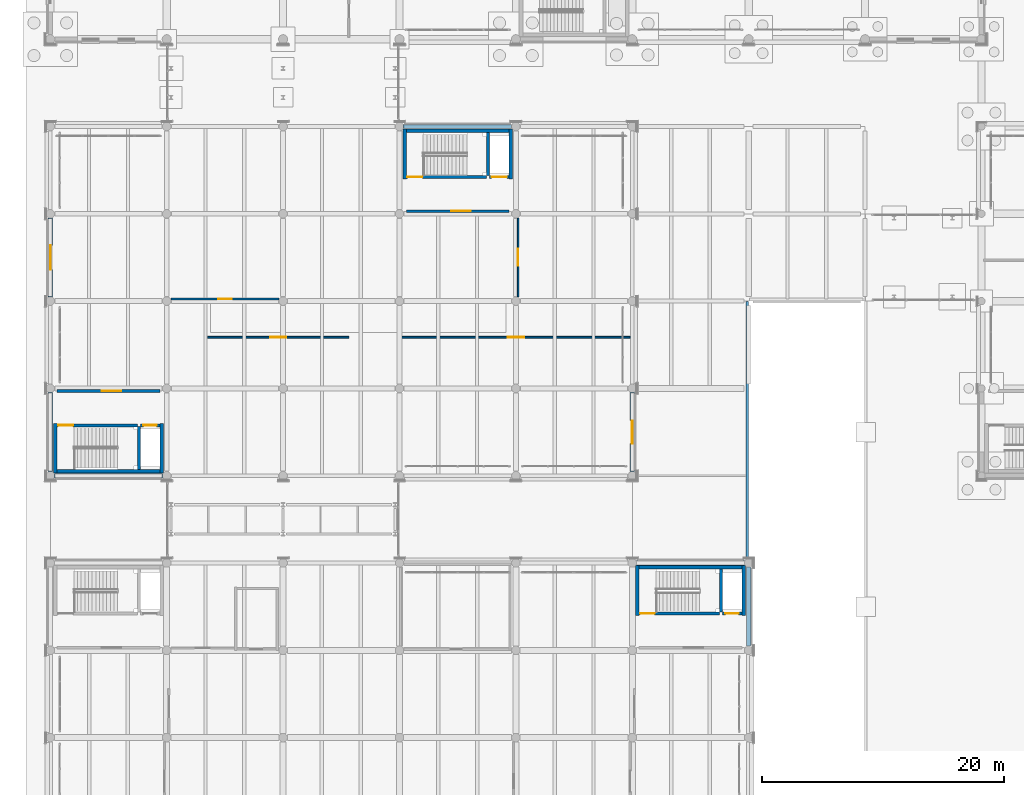
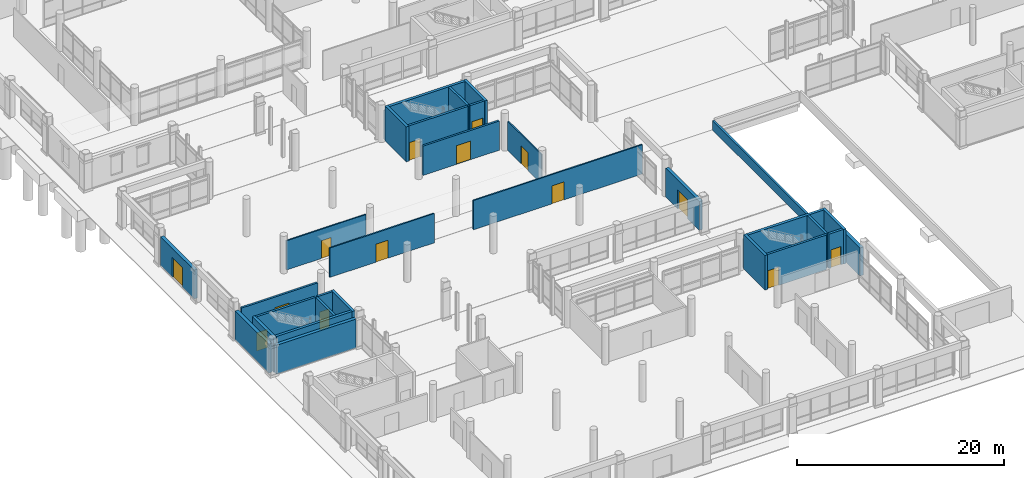
# One storey, part 159 of 196: 32 walls, 14 doors, 14 openings.
"""IFC4 building model written with IfcOpenShell, lengths in metres."""

from ifc_helpers import new_model, si_unit, direction, frame, frame_2d, origin, place, context, subcontext, project, spatial, rectangle, extrude, material, layer, layer_set, type_object, element, fill, save


model = new_model("IFC4")

# Units and contexts
model_context = context("Model", 3, precision=1e-05, world=origin(), true_north=direction((0.0, 1.0)))
body_context = subcontext(model_context, "Body", "Model", "MODEL_VIEW")
ifc_project = project(units=[si_unit("LENGTHUNIT", "METRE"), si_unit("AREAUNIT", "SQUARE_METRE"), si_unit("VOLUMEUNIT", "CUBIC_METRE"), si_unit("PLANEANGLEUNIT", "RADIAN"), si_unit("MASSUNIT", "GRAM", prefix="KILO")], contexts=[model_context])

# Site, building, storey
site_placement = place(None, origin())
site = spatial("IfcSite", under=ifc_project, at=site_placement, CompositionType="ELEMENT")
building_placement = place(site_placement, origin())
building = spatial("IfcBuilding", under=site, at=building_placement, Name="Asteropetra Specialist Clinic", CompositionType="ELEMENT")
storey_placement = place(building_placement, origin())
storey = spatial("IfcBuildingStorey", under=building, at=storey_placement, Name="L00", CompositionType="ELEMENT", Elevation=0.0)

# Walls
ifc_material_1 = material(Name="Piraeus poros limestone", Category="masonry")
ifc_layer_1 = layer(ifc_material_1, 0.219970703125)
ifc_layer_set_1 = layer_set([ifc_layer_1], Name="Piraeus poros limestone")
wall_type_1 = type_object("IfcWallType", Name="EW-PARAPET-220", PredefinedType="PARAPET", material=ifc_layer_set_1)
wall_1_placement = place(storey_placement, frame((57.469970703125, 26.75, 0.0), z_axis=(0.0, 0.0, 1.0), x_axis=(0.0, 1.0, 0.0)))
element("IfcWall", 1, at=wall_1_placement, inside=storey, type_object=wall_type_1, Name="Roof Parapet WP-20", PredefinedType="PARAPET", context=body_context, shape_type="SweptSolid", body=[
    extrude(rectangle(XDim=21.199951171875, YDim=0.219970703125, at=frame_2d((10.60009765625, 0.0))), origin(), (0.0, 0.0, 1.0), 1.1201171875),
])
ifc_material_2 = material(Name="Pentelic marble ashlar", Category="masonry")
ifc_layer_2 = layer(ifc_material_2, 0.360107421875)
ifc_layer_set_2 = layer_set([ifc_layer_2], Name="Pentelic marble ashlar")
wall_type_2 = type_object("IfcWallType", Name="EW-PENTELIC-360", PredefinedType="SOLIDWALL", material=ifc_layer_set_2)
wall_2_placement = place(storey_placement, frame((0.35009765625, 33.60009765625, 0.0), z_axis=(0.0, 0.0, 1.0), x_axis=(1.0, 0.0, 0.0)))
element("IfcWall", 2, at=wall_2_placement, inside=storey, type_object=wall_type_2, Name="Exterior Wall EW-0159", PredefinedType="SOLIDWALL", context=body_context, shape_type="SweptSolid", body=[
    extrude(rectangle(XDim=8.89990234375, YDim=0.360107421875, at=frame_2d((4.449951171875, 0.0))), origin(), (0.0, 0.0, 1.0), 3.39990234375),
])
wall_3_placement = place(storey_placement, frame((38.050048828125, 62.39990234375, 0.0), z_axis=(0.0, 0.0, 1.0), x_axis=(-1.0, 0.0, 0.0)))
element("IfcWall", 3, at=wall_3_placement, inside=storey, type_object=wall_type_2, Name="Exterior Wall EW-0160", PredefinedType="SOLIDWALL", context=body_context, shape_type="SweptSolid", body=[
    extrude(rectangle(XDim=8.900146484375, YDim=0.360107421875, at=frame_2d((4.4501953125, 0.0))), origin(), (0.0, 0.0, 1.0), 3.39990234375),
])
wall_4_placement = place(storey_placement, frame((0.0, 40.449951171875, 0.0), z_axis=(0.0, 0.0, 1.0), x_axis=(0.0, -1.0, 0.0)))
element("IfcWall", 4, at=wall_4_placement, inside=storey, type_object=wall_type_2, Name="Exterior Wall EW-0161", PredefinedType="SOLIDWALL", context=body_context, shape_type="SweptSolid", body=[
    extrude(rectangle(XDim=6.5, YDim=0.360107421875, at=frame_2d((3.25, 0.0))), origin(), (0.0, 0.0, 1.0), 3.39990234375),
])

# Wall, opening, door
wall_5_placement = place(storey_placement, frame((48.0, 33.949951171875, 0.0), z_axis=(0.0, 0.0, 1.0), x_axis=(0.0, 1.0, 0.0)))
wall_5 = element("IfcWall", 5, at=wall_5_placement, inside=storey, type_object=wall_type_2, Name="Exterior Wall EW-0162", PredefinedType="SOLIDWALL", context=body_context, shape_type="SweptSolid", body=[
    extrude(rectangle(XDim=6.5, YDim=0.360107421875, at=frame_2d((3.25, 0.0))), origin(), (0.0, 0.0, 1.0), 3.39990234375),
])
opening_1_placement = place(wall_5_placement, frame((2.300048828125, 0.0, 0.0)))
opening_1 = element("IfcOpeningElement", 6, at=opening_1_placement, cuts=wall_5, Name="Opening ED-013", PredefinedType="OPENING", context=body_context, shape_type="SweptSolid", body=[
    extrude(rectangle(XDim=1.89990234375, YDim=2.25, at=frame_2d((0.949951171875, 1.125))), frame((0.0, 0.18994140625, 0.0), z_axis=(0.0, -1.0, 0.0), x_axis=(1.0, 0.0, 0.0)), (0.0, 0.0, 1.0), 0.380126953125),
])
ifc_material_3 = material(Name="Bronze aluminium and safety glass", Category="aluminium")
door_type_1 = type_object("IfcDoorType", Name="EDR-EXIT-1900", OperationType="DOUBLE_DOOR_SINGLE_SWING", PredefinedType="DOOR", material=ifc_material_3)
door_1_placement = place(opening_1_placement, origin())
door_1 = element("IfcDoor", 7, at=door_1_placement, inside=storey, type_object=door_type_1, Name="Exterior Door ED-013", OperationType="DOUBLE_DOOR_SINGLE_SWING", OverallHeight=2.25, OverallWidth=1.89990234375, PredefinedType="DOOR", context=body_context, shape_type="SweptSolid", body=[
    extrude(rectangle(XDim=1.89990234375, YDim=2.25, at=frame_2d((0.949951171875, 1.125))), frame((0.0, 0.02490234375, 0.0), z_axis=(0.0, -1.0, 0.0), x_axis=(1.0, 0.0, 0.0)), (0.0, 0.0, 1.0), 0.050048828125),
])
fill(opening_1, door_1)

wall_6_placement = place(storey_placement, frame((0.0, 54.85009765625, 0.0), z_axis=(0.0, 0.0, 1.0), x_axis=(0.0, -1.0, 0.0)))
wall_6 = element("IfcWall", 8, at=wall_6_placement, inside=storey, type_object=wall_type_2, Name="Exterior Wall EW-0163", PredefinedType="SOLIDWALL", context=body_context, shape_type="SweptSolid", body=[
    extrude(rectangle(XDim=6.5, YDim=0.360107421875, at=frame_2d((3.25, 0.0))), origin(), (0.0, 0.0, 1.0), 3.39990234375),
])
opening_2_placement = place(wall_6_placement, frame((2.25, 0.0, 0.0)))
opening_2 = element("IfcOpeningElement", 9, at=opening_2_placement, cuts=wall_6, Name="Opening ED-014", PredefinedType="OPENING", context=body_context, shape_type="SweptSolid", body=[
    extrude(rectangle(XDim=2.0, YDim=2.300048828125, at=frame_2d((1.0, 1.14990234375))), frame((0.0, 0.18994140625, 0.0), z_axis=(0.0, -1.0, 0.0), x_axis=(1.0, 0.0, 0.0)), (0.0, 0.0, 1.0), 0.380126953125),
])
ifc_material_4 = material(Name="Bronze aluminium and safety glass", Category="aluminium")
door_type_2 = type_object("IfcDoorType", Name="EDR-EXIT-2000", OperationType="DOUBLE_DOOR_SINGLE_SWING", PredefinedType="DOOR", material=ifc_material_4)
door_2_placement = place(opening_2_placement, origin())
door_2 = element("IfcDoor", 10, at=door_2_placement, inside=storey, type_object=door_type_2, Name="Exterior Door ED-014", OperationType="DOUBLE_DOOR_SINGLE_SWING", OverallHeight=2.300048828125, OverallWidth=2.0, PredefinedType="DOOR", context=body_context, shape_type="SweptSolid", body=[
    extrude(rectangle(XDim=2.0, YDim=2.300048828125, at=frame_2d((1.0, 1.14990234375))), frame((0.0, 0.02490234375, 0.0), z_axis=(0.0, -1.0, 0.0), x_axis=(1.0, 0.0, 0.0)), (0.0, 0.0, 1.0), 0.050048828125),
])
fill(opening_2, door_2)

# Walls
ifc_material_5 = material(Name="Pentelic marble ashlar", Category="masonry")
ifc_layer_3 = layer(ifc_material_5, 0.3798828125)
ifc_layer_set_3 = layer_set([ifc_layer_3], Name="Pentelic marble ashlar")
wall_type_3 = type_object("IfcWallType", Name="EW-PENTELIC-380", PredefinedType="SOLIDWALL", material=ifc_layer_set_3)
wall_7_placement = place(storey_placement, frame((57.25, 26.39990234375, 0.0), z_axis=(0.0, 0.0, 1.0), x_axis=(-1.0, 0.0, 0.0)))
element("IfcWall", 11, at=wall_7_placement, inside=storey, type_object=wall_type_3, Name="Exterior Wall EW-0033", PredefinedType="SOLIDWALL", context=body_context, shape_type="SweptSolid", body=[
    extrude(rectangle(XDim=8.89990234375, YDim=0.3798828125, at=frame_2d((4.449951171875, 0.0))), origin(), (0.0, 0.0, 1.0), 3.31005859375),
])
wall_8_placement = place(storey_placement, frame((57.60009765625, 19.550048828125, 0.0), z_axis=(0.0, 0.0, 1.0), x_axis=(0.0, 1.0, 0.0)))
element("IfcWall", 12, at=wall_8_placement, inside=storey, type_object=wall_type_3, Name="Exterior Wall EW-0036", PredefinedType="SOLIDWALL", context=body_context, shape_type="SweptSolid", body=[
    extrude(rectangle(XDim=6.5, YDim=0.3798828125, at=frame_2d((3.25, 0.0))), origin(), (0.0, 0.0, 1.0), 3.31005859375),
])

# Wall, opening, door
ifc_material_6 = material(Name="Fire-rated masonry and gypsum", Category="masonry")
ifc_layer_4 = layer(ifc_material_6, 0.219970703125)
ifc_layer_set_4 = layer_set([ifc_layer_4], Name="Fire-rated masonry and gypsum")
wall_type_4 = type_object("IfcWallType", Name="W-COMP-220", PredefinedType="PARTITIONING", material=ifc_layer_set_4)
wall_9_placement = place(storey_placement, frame((0.56005859375, 40.580078125, 0.0), z_axis=(0.0, 0.0, 1.0), x_axis=(1.0, 0.0, 0.0)))
wall_9 = element("IfcWall", 13, at=wall_9_placement, inside=storey, type_object=wall_type_4, Name="Core Wall CW-C4-L00-LOB", PredefinedType="PARTITIONING", context=body_context, shape_type="SweptSolid", body=[
    extrude(rectangle(XDim=8.47998046875, YDim=0.219970703125, at=frame_2d((4.239990234375, 0.0))), origin(), (0.0, 0.0, 1.0), 3.449951171875),
])
opening_3_placement = place(wall_9_placement, frame((3.699951171875, 0.0, 0.0)))
opening_3 = element("IfcOpeningElement", 14, at=opening_3_placement, cuts=wall_9, Name="Opening FD-036", PredefinedType="OPENING", context=body_context, shape_type="SweptSolid", body=[
    extrude(rectangle(XDim=1.60009765625, YDim=2.199951171875, at=frame_2d((0.800048828125, 1.10009765625))), frame((0.0, 0.119873046875, 0.0), z_axis=(0.0, -1.0, 0.0), x_axis=(1.0, 0.0, 0.0)), (0.0, 0.0, 1.0), 0.239990234375),
])
ifc_material_7 = material(Name="Fire-rated steel and vision glass door", Category="steel")
door_type_3 = type_object("IfcDoorType", Name="FD-LOBBY-1600", OperationType="DOUBLE_DOOR_SINGLE_SWING", PredefinedType="DOOR", material=ifc_material_7)
door_3_placement = place(opening_3_placement, origin())
door_3 = element("IfcDoor", 15, at=door_3_placement, inside=storey, type_object=door_type_3, Name="Lobby Fire Door FD-036", OperationType="DOUBLE_DOOR_SINGLE_SWING", OverallHeight=2.199951171875, OverallWidth=1.60009765625, PredefinedType="DOOR", context=body_context, shape_type="SweptSolid", body=[
    extrude(rectangle(XDim=1.60009765625, YDim=2.199951171875, at=frame_2d((0.800048828125, 1.10009765625))), frame((0.0, 0.02490234375, 0.0), z_axis=(0.0, -1.0, 0.0), x_axis=(1.0, 0.0, 0.0)), (0.0, 0.0, 1.0), 0.050048828125),
])
fill(opening_3, door_3)

wall_10_placement = place(storey_placement, frame((29.360107421875, 55.419921875, 0.0), z_axis=(0.0, 0.0, 1.0), x_axis=(1.0, 0.0, 0.0)))
wall_10 = element("IfcWall", 16, at=wall_10_placement, inside=storey, type_object=wall_type_4, Name="Core Wall CW-C5-L00-LOB", PredefinedType="PARTITIONING", context=body_context, shape_type="SweptSolid", body=[
    extrude(rectangle(XDim=8.47998046875, YDim=0.219970703125, at=frame_2d((4.239990234375, 0.0))), origin(), (0.0, 0.0, 1.0), 3.449951171875),
])
opening_4_placement = place(wall_10_placement, frame((3.699951171875, 0.0, 0.0)))
opening_4 = element("IfcOpeningElement", 17, at=opening_4_placement, cuts=wall_10, Name="Opening FD-046", PredefinedType="OPENING", context=body_context, shape_type="SweptSolid", body=[
    extrude(rectangle(XDim=1.60009765625, YDim=2.199951171875, at=frame_2d((0.800048828125, 1.10009765625))), frame((0.0, 0.119873046875, 0.0), z_axis=(0.0, -1.0, 0.0), x_axis=(1.0, 0.0, 0.0)), (0.0, 0.0, 1.0), 0.239990234375),
])
door_4_placement = place(opening_4_placement, origin())
door_4 = element("IfcDoor", 18, at=door_4_placement, inside=storey, type_object=door_type_3, Name="Lobby Fire Door FD-046", OperationType="DOUBLE_DOOR_SINGLE_SWING", OverallHeight=2.199951171875, OverallWidth=1.60009765625, PredefinedType="DOOR", context=body_context, shape_type="SweptSolid", body=[
    extrude(rectangle(XDim=1.60009765625, YDim=2.199951171875, at=frame_2d((0.800048828125, 1.10009765625))), frame((0.0, 0.02490234375, 0.0), z_axis=(0.0, -1.0, 0.0), x_axis=(1.0, 0.0, 0.0)), (0.0, 0.0, 1.0), 0.050048828125),
])
fill(opening_4, door_4)

# Walls
ifc_material_8 = material(Name="Concrete C35/45", Category="concrete")
ifc_layer_5 = layer(ifc_material_8, 0.300048828125)
ifc_layer_set_5 = layer_set([ifc_layer_5], Name="Concrete C35/45")
wall_type_5 = type_object("IfcWallType", Name="W-CORE-300", PredefinedType="SHEAR", material=ifc_layer_set_5)
for number, where, z_axis, x_axis, name in (
    (19, (0.419921875, 33.81005859375, 0.0), (0.0, 0.0, 1.0), (0.0, 1.0, 0.0), "Core Wall CW-C4-L00-W"),
    (20, (9.179931640625, 33.81005859375, 0.0), (0.0, 0.0, 1.0), (0.0, 1.0, 0.0), "Core Wall CW-C4-L00-E"),
):
    element("IfcWall", number, at=place(storey_placement, frame(where, z_axis=z_axis, x_axis=x_axis)), inside=storey, type_object=wall_type_5, Name=name, PredefinedType="SHEAR", context=body_context, shape_type="SweptSolid", body=[
        extrude(rectangle(XDim=4.099853515625, YDim=0.300048828125, at=frame_2d((2.0498046875, 0.0))), origin(), (0.0, 0.0, 1.0), 4.1201171875),
    ])
wall_11_placement = place(storey_placement, frame((0.56494140625, 33.9599609375, 0.0), z_axis=(0.0, 0.0, 1.0), x_axis=(1.0, 0.0, 0.0)))
element("IfcWall", 21, at=wall_11_placement, inside=storey, type_object=wall_type_5, Name="Core Wall CW-C4-L00-BACK", PredefinedType="SHEAR", context=body_context, shape_type="SweptSolid", body=[
    extrude(rectangle(XDim=8.469970703125, YDim=0.300048828125, at=frame_2d((4.23486328125, 0.0))), origin(), (0.0, 0.0, 1.0), 4.1201171875),
])
for number, where, z_axis, x_axis, name in (
    (22, (29.219970703125, 58.090087890625, 0.0), (0.0, 0.0, 1.0), (0.0, 1.0, 0.0), "Core Wall CW-C5-L00-W"),
    (23, (37.97998046875, 58.090087890625, 0.0), (0.0, 0.0, 1.0), (0.0, 1.0, 0.0), "Core Wall CW-C5-L00-E"),
):
    element("IfcWall", number, at=place(storey_placement, frame(where, z_axis=z_axis, x_axis=x_axis)), inside=storey, type_object=wall_type_5, Name=name, PredefinedType="SHEAR", context=body_context, shape_type="SweptSolid", body=[
        extrude(rectangle(XDim=4.099853515625, YDim=0.300048828125, at=frame_2d((2.0498046875, 0.0))), origin(), (0.0, 0.0, 1.0), 4.1201171875),
    ])
wall_12_placement = place(storey_placement, frame((29.364990234375, 62.0400390625, 0.0), z_axis=(0.0, 0.0, 1.0), x_axis=(1.0, 0.0, 0.0)))
element("IfcWall", 24, at=wall_12_placement, inside=storey, type_object=wall_type_5, Name="Core Wall CW-C5-L00-BACK", PredefinedType="SHEAR", context=body_context, shape_type="SweptSolid", body=[
    extrude(rectangle(XDim=8.469970703125, YDim=0.300048828125, at=frame_2d((4.23486328125, 0.0))), origin(), (0.0, 0.0, 1.0), 4.1201171875),
])
for number, where, z_axis, x_axis, name in (
    (25, (48.419921875, 22.090087890625, 0.0), (0.0, 0.0, 1.0), (0.0, 1.0, 0.0), "Core Wall CW-C7-L00-W"),
    (26, (57.179931640625, 22.090087890625, 0.0), (0.0, 0.0, 1.0), (0.0, 1.0, 0.0), "Core Wall CW-C7-L00-E"),
):
    element("IfcWall", number, at=place(storey_placement, frame(where, z_axis=z_axis, x_axis=x_axis)), inside=storey, type_object=wall_type_5, Name=name, PredefinedType="SHEAR", context=body_context, shape_type="SweptSolid", body=[
        extrude(rectangle(XDim=4.099853515625, YDim=0.300048828125, at=frame_2d((2.0498046875, 0.0))), origin(), (0.0, 0.0, 1.0), 4.080078125),
    ])
wall_13_placement = place(storey_placement, frame((48.56494140625, 26.0400390625, 0.0), z_axis=(0.0, 0.0, 1.0), x_axis=(1.0, 0.0, 0.0)))
element("IfcWall", 27, at=wall_13_placement, inside=storey, type_object=wall_type_5, Name="Core Wall CW-C7-L00-BACK", PredefinedType="SHEAR", context=body_context, shape_type="SweptSolid", body=[
    extrude(rectangle(XDim=8.469970703125, YDim=0.300048828125, at=frame_2d((4.23486328125, 0.0))), origin(), (0.0, 0.0, 1.0), 4.080078125),
])

# Wall, opening, door
ifc_material_9 = material(Name="Office and seminar partition", Category="masonry")
ifc_layer_6 = layer(ifc_material_9, 0.1298828125)
ifc_layer_set_6 = layer_set([ifc_layer_6], Name="Office and seminar partition")
wall_type_6 = type_object("IfcWallType", Name="W-PART-130", PredefinedType="PARTITIONING", material=ifc_layer_set_6)
wall_14_placement = place(storey_placement, frame((38.580078125, 48.35498046875, 0.0), z_axis=(0.0, 0.0, 1.0), x_axis=(0.0, 1.0, 0.0)))
wall_14 = element("IfcWall", 28, at=wall_14_placement, inside=storey, type_object=wall_type_6, Name="Interior Partition PW-0068", PredefinedType="PARTITIONING", context=body_context, shape_type="SweptSolid", body=[
    extrude(rectangle(XDim=6.489990234375, YDim=0.1298828125, at=frame_2d((3.2451171875, 0.0))), origin(), (0.0, 0.0, 1.0), 3.4599609375),
])
opening_5_placement = place(wall_14_placement, frame((2.544921875, 0.0, 0.0)))
opening_5 = element("IfcOpeningElement", 29, at=opening_5_placement, cuts=wall_14, Name="Opening ID-0042", PredefinedType="OPENING", context=body_context, shape_type="SweptSolid", body=[
    extrude(rectangle(XDim=1.39990234375, YDim=2.1201171875, at=frame_2d((0.699951171875, 1.06005859375))), frame((0.0, 0.074951171875, 0.0), z_axis=(0.0, -1.0, 0.0), x_axis=(1.0, 0.0, 0.0)), (0.0, 0.0, 1.0), 0.14990234375),
])
ifc_material_10 = material(Name="Antimicrobial laminate timber leaf in steel frame", Category="steel")
door_type_4 = type_object("IfcDoorType", Name="ID-WARD-1400", OperationType="NOTDEFINED", PredefinedType="DOOR", material=ifc_material_10)
door_5_placement = place(opening_5_placement, origin())
door_5 = element("IfcDoor", 30, at=door_5_placement, inside=storey, type_object=door_type_4, Name="Interior Door ID-0042", OperationType="SINGLE_SWING_LEFT", OverallHeight=2.1201171875, OverallWidth=1.39990234375, PredefinedType="DOOR", context=body_context, shape_type="SweptSolid", body=[
    extrude(rectangle(XDim=1.39990234375, YDim=2.1201171875, at=frame_2d((0.699951171875, 1.06005859375))), frame((0.0, 0.02490234375, 0.0), z_axis=(0.0, -1.0, 0.0), x_axis=(1.0, 0.0, 0.0)), (0.0, 0.0, 1.0), 0.050048828125),
])
fill(opening_5, door_5)

ifc_material_11 = material(Name="Laboratory partition", Category="masonry")
ifc_layer_7 = layer(ifc_material_11, 0.139892578125)
ifc_layer_set_7 = layer_set([ifc_layer_7], Name="Laboratory partition")
wall_type_7 = type_object("IfcWallType", Name="W-PART-140", PredefinedType="PARTITIONING", material=ifc_layer_set_7)
wall_15_placement = place(storey_placement, frame((9.955078125, 48.179931640625, 0.0), z_axis=(0.0, 0.0, 1.0), x_axis=(1.0, 0.0, 0.0)))
wall_15 = element("IfcWall", 31, at=wall_15_placement, inside=storey, type_object=wall_type_7, Name="Interior Partition PW-0067", PredefinedType="PARTITIONING", context=body_context, shape_type="SweptSolid", body=[
    extrude(rectangle(XDim=8.889892578125, YDim=0.139892578125, at=frame_2d((4.44482421875, 0.0))), origin(), (0.0, 0.0, 1.0), 3.449951171875),
])
opening_6_placement = place(wall_15_placement, frame((3.89501953125, 0.0, 0.0)))
opening_6 = element("IfcOpeningElement", 32, at=opening_6_placement, cuts=wall_15, Name="Opening ID-0041", PredefinedType="OPENING", context=body_context, shape_type="SweptSolid", body=[
    extrude(rectangle(XDim=1.10009765625, YDim=2.10009765625, at=frame_2d((0.550048828125, 1.050048828125))), frame((0.0, 0.079833984375, 0.0), z_axis=(0.0, -1.0, 0.0), x_axis=(1.0, 0.0, 0.0)), (0.0, 0.0, 1.0), 0.159912109375),
])
ifc_material_12 = material(Name="Antimicrobial laminate timber leaf in steel frame", Category="steel")
door_type_5 = type_object("IfcDoorType", Name="ID-CONS-1100", OperationType="SINGLE_SWING_RIGHT", PredefinedType="DOOR", material=ifc_material_12)
door_6_placement = place(opening_6_placement, origin())
door_6 = element("IfcDoor", 33, at=door_6_placement, inside=storey, type_object=door_type_5, Name="Interior Door ID-0041", OperationType="SINGLE_SWING_RIGHT", OverallHeight=2.10009765625, OverallWidth=1.10009765625, PredefinedType="DOOR", context=body_context, shape_type="SweptSolid", body=[
    extrude(rectangle(XDim=1.10009765625, YDim=2.10009765625, at=frame_2d((0.550048828125, 1.050048828125))), frame((0.0, 0.02490234375, 0.0), z_axis=(0.0, -1.0, 0.0), x_axis=(1.0, 0.0, 0.0)), (0.0, 0.0, 1.0), 0.050048828125),
])
fill(opening_6, door_6)

ifc_material_13 = material(Name="Clinical consulting partition", Category="masonry")
ifc_layer_8 = layer(ifc_material_13, 0.14990234375)
ifc_layer_set_8 = layer_set([ifc_layer_8], Name="Clinical consulting partition")
wall_type_8 = type_object("IfcWallType", Name="W-PART-150", PredefinedType="PARTITIONING", material=ifc_layer_set_8)
wall_16_placement = place(storey_placement, frame((28.97998046875, 45.02001953125, 0.0), z_axis=(0.0, 0.0, 1.0), x_axis=(1.0, 0.0, 0.0)))
wall_16 = element("IfcWall", 34, at=wall_16_placement, inside=storey, type_object=wall_type_8, Name="Interior Partition PW-0066", PredefinedType="PARTITIONING", context=body_context, shape_type="SweptSolid", body=[
    extrude(rectangle(XDim=18.840087890625, YDim=0.14990234375, at=frame_2d((9.419921875, 0.0))), origin(), (0.0, 0.0, 1.0), 3.449951171875),
])
opening_7_placement = place(wall_16_placement, frame((8.7451171875, 0.0, 0.0)))
opening_7 = element("IfcOpeningElement", 35, at=opening_7_placement, cuts=wall_16, Name="Opening ID-0040", PredefinedType="OPENING", context=body_context, shape_type="SweptSolid", body=[
    extrude(rectangle(XDim=1.35009765625, YDim=2.1201171875, at=frame_2d((0.675048828125, 1.06005859375))), frame((0.0, 0.0849609375, 0.0), z_axis=(0.0, -1.0, 0.0), x_axis=(1.0, 0.0, 0.0)), (0.0, 0.0, 1.0), 0.169921875),
])
ifc_material_14 = material(Name="Antimicrobial laminate timber leaf in steel frame", Category="steel")
door_type_6 = type_object("IfcDoorType", Name="ID-LAB-1350", OperationType="NOTDEFINED", PredefinedType="DOOR", material=ifc_material_14)
door_7_placement = place(opening_7_placement, origin())
door_7 = element("IfcDoor", 36, at=door_7_placement, inside=storey, type_object=door_type_6, Name="Interior Door ID-0040", OperationType="SINGLE_SWING_LEFT", OverallHeight=2.1201171875, OverallWidth=1.35009765625, PredefinedType="DOOR", context=body_context, shape_type="SweptSolid", body=[
    extrude(rectangle(XDim=1.35009765625, YDim=2.1201171875, at=frame_2d((0.675048828125, 1.06005859375))), frame((0.0, 0.02490234375, 0.0), z_axis=(0.0, -1.0, 0.0), x_axis=(1.0, 0.0, 0.0)), (0.0, 0.0, 1.0), 0.050048828125),
])
fill(opening_7, door_7)

ifc_material_15 = material(Name="Acoustic clinical stud partition", Category="masonry")
ifc_layer_9 = layer(ifc_material_15, 0.159912109375)
ifc_layer_set_9 = layer_set([ifc_layer_9], Name="Acoustic clinical stud partition")
wall_type_9 = type_object("IfcWallType", Name="W-PART-160", PredefinedType="PARTITIONING", material=ifc_layer_set_9)
wall_17_placement = place(storey_placement, frame((12.97998046875, 45.02001953125, 0.0), z_axis=(0.0, 0.0, 1.0), x_axis=(1.0, 0.0, 0.0)))
wall_17 = element("IfcWall", 37, at=wall_17_placement, inside=storey, type_object=wall_type_9, Name="Interior Partition PW-0065", PredefinedType="PARTITIONING", context=body_context, shape_type="SweptSolid", body=[
    extrude(rectangle(XDim=11.64013671875, YDim=0.159912109375, at=frame_2d((5.820068359375, 0.0))), origin(), (0.0, 0.0, 1.0), 3.4599609375),
])
opening_8_placement = place(wall_17_placement, frame((5.14501953125, 0.0, 0.0)))
opening_8 = element("IfcOpeningElement", 38, at=opening_8_placement, cuts=wall_17, Name="Opening ID-0039", PredefinedType="OPENING", context=body_context, shape_type="SweptSolid", body=[
    extrude(rectangle(XDim=1.35009765625, YDim=2.1201171875, at=frame_2d((0.675048828125, 1.06005859375))), frame((0.0, 0.08984375, 0.0), z_axis=(0.0, -1.0, 0.0), x_axis=(1.0, 0.0, 0.0)), (0.0, 0.0, 1.0), 0.179931640625),
])
door_8_placement = place(opening_8_placement, origin())
door_8 = element("IfcDoor", 39, at=door_8_placement, inside=storey, type_object=door_type_6, Name="Interior Door ID-0039", OperationType="SINGLE_SWING_RIGHT", OverallHeight=2.1201171875, OverallWidth=1.35009765625, PredefinedType="DOOR", context=body_context, shape_type="SweptSolid", body=[
    extrude(rectangle(XDim=1.35009765625, YDim=2.1201171875, at=frame_2d((0.675048828125, 1.06005859375))), frame((0.0, 0.02490234375, 0.0), z_axis=(0.0, -1.0, 0.0), x_axis=(1.0, 0.0, 0.0)), (0.0, 0.0, 1.0), 0.050048828125),
])
fill(opening_8, door_8)

# Wall
ifc_material_16 = material(Name="Concrete C35/45", Category="concrete")
ifc_layer_10 = layer(ifc_material_16, 0.25)
ifc_layer_set_10 = layer_set([ifc_layer_10], Name="Concrete C35/45")
wall_type_10 = type_object("IfcWallType", Name="W-SHAFT-250", PredefinedType="SHEAR", material=ifc_layer_set_10)
wall_18_placement = place(storey_placement, frame((7.300048828125, 34.110107421875, 0.0), z_axis=(0.0, 0.0, 1.0), x_axis=(0.0, 1.0, 0.0)))
element("IfcWall", 40, at=wall_18_placement, inside=storey, type_object=wall_type_10, Name="Core Wall CW-C4-L00-MID", PredefinedType="SHEAR", context=body_context, shape_type="SweptSolid", body=[
    extrude(rectangle(XDim=3.52978515625, YDim=0.25, at=frame_2d((1.764892578125, 0.0))), origin(), (0.0, 0.0, 1.0), 4.1201171875),
])

# Wall, opening, door
wall_19_placement = place(storey_placement, frame((0.56494140625, 37.760009765625, 0.0), z_axis=(0.0, 0.0, 1.0), x_axis=(1.0, 0.0, 0.0)))
wall_19 = element("IfcWall", 41, at=wall_19_placement, inside=storey, type_object=wall_type_10, Name="Core Wall CW-C4-L00-STDIV", PredefinedType="SHEAR", context=body_context, shape_type="SweptSolid", body=[
    extrude(rectangle(XDim=6.614990234375, YDim=0.25, at=frame_2d((3.3076171875, 0.0))), origin(), (0.0, 0.0, 1.0), 4.1201171875),
])
opening_9_placement = place(wall_19_placement, frame((0.080078125, 0.0, 0.0)))
opening_9 = element("IfcOpeningElement", 42, at=opening_9_placement, cuts=wall_19, Name="Opening FD-035", PredefinedType="OPENING", context=body_context, shape_type="SweptSolid", body=[
    extrude(rectangle(XDim=1.239990234375, YDim=2.14990234375, at=frame_2d((0.6201171875, 1.074951171875))), frame((0.0, 0.135009765625, 0.0), z_axis=(0.0, -1.0, 0.0), x_axis=(1.0, 0.0, 0.0)), (0.0, 0.0, 1.0), 0.27001953125),
])
ifc_material_17 = material(Name="Fire-rated steel and vision glass door", Category="steel")
door_type_7 = type_object("IfcDoorType", Name="FD-STAIR-1400", OperationType="DOUBLE_DOOR_SINGLE_SWING", PredefinedType="DOOR", material=ifc_material_17)
door_9_placement = place(opening_9_placement, origin())
door_9 = element("IfcDoor", 43, at=door_9_placement, inside=storey, type_object=door_type_7, Name="Stair Fire Door FD-035", OperationType="DOUBLE_DOOR_SINGLE_SWING", OverallHeight=2.14990234375, OverallWidth=1.239990234375, PredefinedType="DOOR", context=body_context, shape_type="SweptSolid", body=[
    extrude(rectangle(XDim=1.239990234375, YDim=2.14990234375, at=frame_2d((0.6201171875, 1.074951171875))), frame((0.0, 0.02490234375, 0.0), z_axis=(0.0, -1.0, 0.0), x_axis=(1.0, 0.0, 0.0)), (0.0, 0.0, 1.0), 0.050048828125),
])
fill(opening_9, door_9)

wall_20_placement = place(storey_placement, frame((7.419921875, 37.760009765625, 0.0), z_axis=(0.0, 0.0, 1.0), x_axis=(1.0, 0.0, 0.0)))
wall_20 = element("IfcWall", 44, at=wall_20_placement, inside=storey, type_object=wall_type_10, Name="Lift Shaft Front Wall CW-C4-L00-LFTF", PredefinedType="SHEAR", context=body_context, shape_type="SweptSolid", body=[
    extrude(rectangle(XDim=1.614990234375, YDim=0.25, at=frame_2d((0.8076171875, 0.0))), origin(), (0.0, 0.0, 1.0), 4.1201171875),
])
opening_10_placement = place(wall_20_placement, frame((0.257568359375, 0.0, 0.0)))
opening_10 = element("IfcOpeningElement", 45, at=opening_10_placement, cuts=wall_20, Name="Opening LD-018", PredefinedType="OPENING", context=body_context, shape_type="SweptSolid", body=[
    extrude(rectangle(XDim=1.10009765625, YDim=2.14990234375, at=frame_2d((0.550048828125, 1.074951171875))), frame((0.0, 0.135009765625, 0.0), z_axis=(0.0, -1.0, 0.0), x_axis=(1.0, 0.0, 0.0)), (0.0, 0.0, 1.0), 0.27001953125),
])
ifc_material_18 = material(Name="Brushed stainless steel sliding lift landing door", Category="steel")
door_type_8 = type_object("IfcDoorType", Name="LD-PASS-1100", OperationType="DOUBLE_DOOR_SLIDING", PredefinedType="DOOR", material=ifc_material_18)
door_10_placement = place(opening_10_placement, origin())
door_10 = element("IfcDoor", 46, at=door_10_placement, inside=storey, type_object=door_type_8, Name="Lift Landing Door LD-018", OperationType="DOUBLE_DOOR_SLIDING", OverallHeight=2.14990234375, OverallWidth=1.10009765625, PredefinedType="DOOR", context=body_context, shape_type="SweptSolid", body=[
    extrude(rectangle(XDim=1.10009765625, YDim=2.14990234375, at=frame_2d((0.550048828125, 1.074951171875))), frame((0.0, 0.02490234375, 0.0), z_axis=(0.0, -1.0, 0.0), x_axis=(1.0, 0.0, 0.0)), (0.0, 0.0, 1.0), 0.050048828125),
])
fill(opening_10, door_10)

# Wall
wall_21_placement = place(storey_placement, frame((36.10009765625, 58.360107421875, 0.0), z_axis=(0.0, 0.0, 1.0), x_axis=(0.0, 1.0, 0.0)))
element("IfcWall", 47, at=wall_21_placement, inside=storey, type_object=wall_type_10, Name="Core Wall CW-C5-L00-MID", PredefinedType="SHEAR", context=body_context, shape_type="SweptSolid", body=[
    extrude(rectangle(XDim=3.52978515625, YDim=0.25, at=frame_2d((1.764892578125, 0.0))), origin(), (0.0, 0.0, 1.0), 4.1201171875),
])

# Wall, opening, door
wall_22_placement = place(storey_placement, frame((29.364990234375, 58.239990234375, 0.0), z_axis=(0.0, 0.0, 1.0), x_axis=(1.0, 0.0, 0.0)))
wall_22 = element("IfcWall", 48, at=wall_22_placement, inside=storey, type_object=wall_type_10, Name="Core Wall CW-C5-L00-STDIV", PredefinedType="SHEAR", context=body_context, shape_type="SweptSolid", body=[
    extrude(rectangle(XDim=6.614990234375, YDim=0.25, at=frame_2d((3.3076171875, 0.0))), origin(), (0.0, 0.0, 1.0), 4.1201171875),
])
opening_11_placement = place(wall_22_placement, frame((0.080078125, 0.0, 0.0)))
opening_11 = element("IfcOpeningElement", 49, at=opening_11_placement, cuts=wall_22, Name="Opening FD-045", PredefinedType="OPENING", context=body_context, shape_type="SweptSolid", body=[
    extrude(rectangle(XDim=1.239990234375, YDim=2.14990234375, at=frame_2d((0.6201171875, 1.074951171875))), frame((0.0, 0.135009765625, 0.0), z_axis=(0.0, -1.0, 0.0), x_axis=(1.0, 0.0, 0.0)), (0.0, 0.0, 1.0), 0.27001953125),
])
door_11_placement = place(opening_11_placement, origin())
door_11 = element("IfcDoor", 50, at=door_11_placement, inside=storey, type_object=door_type_7, Name="Stair Fire Door FD-045", OperationType="DOUBLE_DOOR_SINGLE_SWING", OverallHeight=2.14990234375, OverallWidth=1.239990234375, PredefinedType="DOOR", context=body_context, shape_type="SweptSolid", body=[
    extrude(rectangle(XDim=1.239990234375, YDim=2.14990234375, at=frame_2d((0.6201171875, 1.074951171875))), frame((0.0, 0.02490234375, 0.0), z_axis=(0.0, -1.0, 0.0), x_axis=(1.0, 0.0, 0.0)), (0.0, 0.0, 1.0), 0.050048828125),
])
fill(opening_11, door_11)

wall_23_placement = place(storey_placement, frame((36.219970703125, 58.239990234375, 0.0), z_axis=(0.0, 0.0, 1.0), x_axis=(1.0, 0.0, 0.0)))
wall_23 = element("IfcWall", 51, at=wall_23_placement, inside=storey, type_object=wall_type_10, Name="Lift Shaft Front Wall CW-C5-L00-LFTF", PredefinedType="SHEAR", context=body_context, shape_type="SweptSolid", body=[
    extrude(rectangle(XDim=1.614990234375, YDim=0.25, at=frame_2d((0.8076171875, 0.0))), origin(), (0.0, 0.0, 1.0), 4.1201171875),
])
opening_12_placement = place(wall_23_placement, frame((0.1826171875, 0.0, 0.0)))
opening_12 = element("IfcOpeningElement", 52, at=opening_12_placement, cuts=wall_23, Name="Opening LD-023", PredefinedType="OPENING", context=body_context, shape_type="SweptSolid", body=[
    extrude(rectangle(XDim=1.25, YDim=2.14990234375, at=frame_2d((0.625, 1.074951171875))), frame((0.0, 0.135009765625, 0.0), z_axis=(0.0, -1.0, 0.0), x_axis=(1.0, 0.0, 0.0)), (0.0, 0.0, 1.0), 0.27001953125),
])
ifc_material_19 = material(Name="Brushed stainless steel sliding lift landing door", Category="steel")
door_type_9 = type_object("IfcDoorType", Name="LD-SERV-1250", OperationType="DOUBLE_DOOR_SLIDING", PredefinedType="DOOR", material=ifc_material_19)
door_12_placement = place(opening_12_placement, origin())
door_12 = element("IfcDoor", 53, at=door_12_placement, inside=storey, type_object=door_type_9, Name="Lift Landing Door LD-023", OperationType="DOUBLE_DOOR_SLIDING", OverallHeight=2.14990234375, OverallWidth=1.25, PredefinedType="DOOR", context=body_context, shape_type="SweptSolid", body=[
    extrude(rectangle(XDim=1.25, YDim=2.14990234375, at=frame_2d((0.625, 1.074951171875))), frame((0.0, 0.02490234375, 0.0), z_axis=(0.0, -1.0, 0.0), x_axis=(1.0, 0.0, 0.0)), (0.0, 0.0, 1.0), 0.050048828125),
])
fill(opening_12, door_12)

# Wall
wall_24_placement = place(storey_placement, frame((55.300048828125, 22.360107421875, 0.0), z_axis=(0.0, 0.0, 1.0), x_axis=(0.0, 1.0, 0.0)))
element("IfcWall", 54, at=wall_24_placement, inside=storey, type_object=wall_type_10, Name="Core Wall CW-C7-L00-MID", PredefinedType="SHEAR", context=body_context, shape_type="SweptSolid", body=[
    extrude(rectangle(XDim=3.52978515625, YDim=0.25, at=frame_2d((1.764892578125, 0.0))), origin(), (0.0, 0.0, 1.0), 4.080078125),
])

# Wall, opening, door
wall_25_placement = place(storey_placement, frame((48.56494140625, 22.239990234375, 0.0), z_axis=(0.0, 0.0, 1.0), x_axis=(1.0, 0.0, 0.0)))
wall_25 = element("IfcWall", 55, at=wall_25_placement, inside=storey, type_object=wall_type_10, Name="Core Wall CW-C7-L00-STDIV", PredefinedType="SHEAR", context=body_context, shape_type="SweptSolid", body=[
    extrude(rectangle(XDim=6.614990234375, YDim=0.25, at=frame_2d((3.3076171875, 0.0))), origin(), (0.0, 0.0, 1.0), 4.080078125),
])
opening_13_placement = place(wall_25_placement, frame((0.080078125, 0.0, 0.0)))
opening_13 = element("IfcOpeningElement", 56, at=opening_13_placement, cuts=wall_25, Name="Opening FD-061", PredefinedType="OPENING", context=body_context, shape_type="SweptSolid", body=[
    extrude(rectangle(XDim=1.199951171875, YDim=2.14990234375, at=frame_2d((0.60009765625, 1.074951171875))), frame((0.0, 0.135009765625, 0.0), z_axis=(0.0, -1.0, 0.0), x_axis=(1.0, 0.0, 0.0)), (0.0, 0.0, 1.0), 0.27001953125),
])
ifc_material_20 = material(Name="Fire-rated steel and vision glass door", Category="steel")
door_type_10 = type_object("IfcDoorType", Name="FD-STAIR-1350", OperationType="DOUBLE_DOOR_SINGLE_SWING", PredefinedType="DOOR", material=ifc_material_20)
door_13_placement = place(opening_13_placement, origin())
door_13 = element("IfcDoor", 57, at=door_13_placement, inside=storey, type_object=door_type_10, Name="Stair Fire Door FD-061", OperationType="DOUBLE_DOOR_SINGLE_SWING", OverallHeight=2.14990234375, OverallWidth=1.199951171875, PredefinedType="DOOR", context=body_context, shape_type="SweptSolid", body=[
    extrude(rectangle(XDim=1.199951171875, YDim=2.14990234375, at=frame_2d((0.60009765625, 1.074951171875))), frame((0.0, 0.02490234375, 0.0), z_axis=(0.0, -1.0, 0.0), x_axis=(1.0, 0.0, 0.0)), (0.0, 0.0, 1.0), 0.050048828125),
])
fill(opening_13, door_13)

wall_26_placement = place(storey_placement, frame((55.419921875, 22.239990234375, 0.0), z_axis=(0.0, 0.0, 1.0), x_axis=(1.0, 0.0, 0.0)))
wall_26 = element("IfcWall", 58, at=wall_26_placement, inside=storey, type_object=wall_type_10, Name="Lift Shaft Front Wall CW-C7-L00-LFTF", PredefinedType="SHEAR", context=body_context, shape_type="SweptSolid", body=[
    extrude(rectangle(XDim=1.614990234375, YDim=0.25, at=frame_2d((0.8076171875, 0.0))), origin(), (0.0, 0.0, 1.0), 4.080078125),
])
opening_14_placement = place(wall_26_placement, frame((0.257568359375, 0.0, 0.0)))
opening_14 = element("IfcOpeningElement", 59, at=opening_14_placement, cuts=wall_26, Name="Opening LD-031", PredefinedType="OPENING", context=body_context, shape_type="SweptSolid", body=[
    extrude(rectangle(XDim=1.10009765625, YDim=2.14990234375, at=frame_2d((0.550048828125, 1.074951171875))), frame((0.0, 0.135009765625, 0.0), z_axis=(0.0, -1.0, 0.0), x_axis=(1.0, 0.0, 0.0)), (0.0, 0.0, 1.0), 0.27001953125),
])
door_14_placement = place(opening_14_placement, origin())
door_14 = element("IfcDoor", 60, at=door_14_placement, inside=storey, type_object=door_type_8, Name="Lift Landing Door LD-031", OperationType="DOUBLE_DOOR_SLIDING", OverallHeight=2.14990234375, OverallWidth=1.10009765625, PredefinedType="DOOR", context=body_context, shape_type="SweptSolid", body=[
    extrude(rectangle(XDim=1.10009765625, YDim=2.14990234375, at=frame_2d((0.550048828125, 1.074951171875))), frame((0.0, 0.02490234375, 0.0), z_axis=(0.0, -1.0, 0.0), x_axis=(1.0, 0.0, 0.0)), (0.0, 0.0, 1.0), 0.050048828125),
])
fill(opening_14, door_14)

save(model, "model.ifc")
